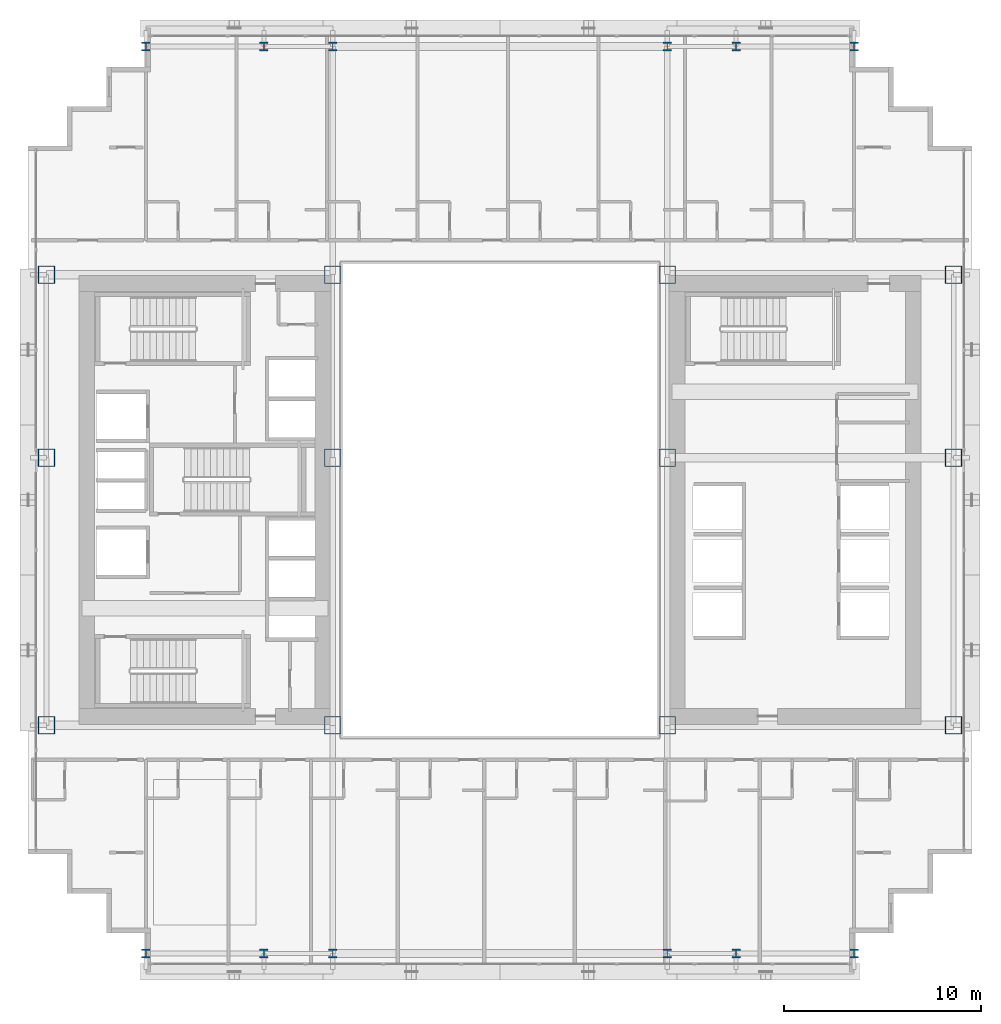
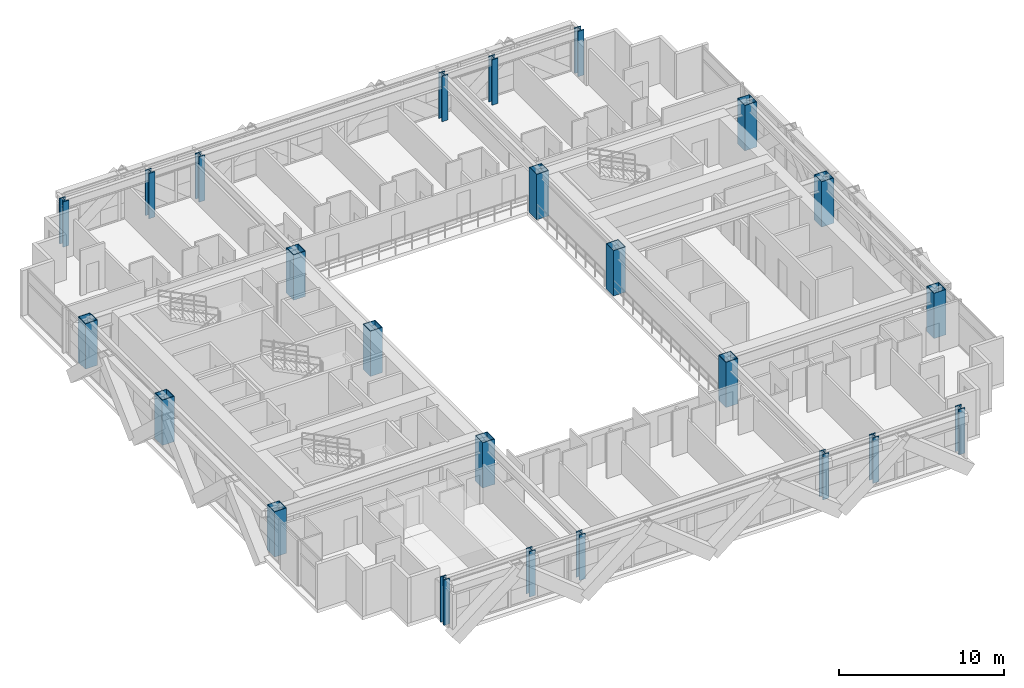
# One storey, part 1 of 36: 24 columns.
"""IFC4 building model written with IfcOpenShell, lengths in metres."""

from ifc_helpers import new_model, si_unit, direction, frame, origin, origin_2d, place, context, subcontext, project, spatial, hollow_rectangle, i_section, extrude, source, transform, mapped, material, material_profile, profile_set, type_object, element, save


model = new_model("IFC4")

# Units and contexts
model_context = context("Model", 3, precision=1e-05, world=origin(), true_north=direction((0.0, 1.0)))
body_context = subcontext(model_context, "Body", "Model", "MODEL_VIEW")
ifc_project = project(units=[si_unit("LENGTHUNIT", "METRE"), si_unit("AREAUNIT", "SQUARE_METRE"), si_unit("VOLUMEUNIT", "CUBIC_METRE"), si_unit("PLANEANGLEUNIT", "RADIAN"), si_unit("MASSUNIT", "GRAM", prefix="KILO")], contexts=[model_context])

# Site, building, storey
site_placement = place(None, origin())
site = spatial("IfcSite", under=ifc_project, at=site_placement, CompositionType="ELEMENT")
building_placement = place(site_placement, origin())
building = spatial("IfcBuilding", under=site, at=building_placement, Name="Ocotamira Hotel", CompositionType="ELEMENT")
storey_placement = place(building_placement, frame((0.0, 0.0, 42.0)))
storey = spatial("IfcBuildingStorey", under=building, at=storey_placement, Name="L09", CompositionType="ELEMENT", Elevation=42.0)

# Columns
ifc_material = material(Name="Steel ASTM A913 Grade 65", Category="steel")
ifc_material_profile_1 = material_profile(ifc_material, hollow_rectangle(XDim=0.85009765625, YDim=0.89990234375, WallThickness=0.0400390625, at=origin_2d()), Name="BOX900X850X40")
ifc_profile_set_1 = profile_set([ifc_material_profile_1], Name="Steel ASTM A913 Grade 65")
column_type_1 = type_object("IfcColumnType", Name="COL-BOX900", PredefinedType="COLUMN", material=ifc_profile_set_1)
shared_shape_1 = source(origin(), body_context, "Body", "SweptSolid", [
    extrude(hollow_rectangle(XDim=0.85009765625, YDim=0.89990234375, WallThickness=0.0400390625, at=origin_2d()), origin(), (0.0, 0.0, 1.0), 3.35009765625),
])
for number, where, z_axis, x_axis, name in (
    (1, (8.949951171875, 14.550048828125, 0.0), (0.0, 0.0, 1.0), (1.0, 0.0, 0.0), "L09 Column TW8_14"),
    (2, (23.5, 14.550048828125, 0.0), (0.0, 0.0, 1.0), (1.0, 0.0, 0.0), "L09 Column TW23_14"),
    (3, (40.5, 14.550048828125, 0.0), (0.0, 0.0, 1.0), (1.0, 0.0, 0.0), "L09 Column TE40_14"),
    (4, (55.050048828125, 14.550048828125, 0.0), (0.0, 0.0, 1.0), (1.0, 0.0, 0.0), "L09 Column TE55_14"),
    (5, (8.949951171875, 28.14990234375, 0.0), (0.0, 0.0, 1.0), (1.0, 0.0, 0.0), "L09 Column TW8_28"),
    (6, (23.5, 28.14990234375, 0.0), (0.0, 0.0, 1.0), (1.0, 0.0, 0.0), "L09 Column TW23_28"),
    (7, (40.5, 28.14990234375, 0.0), (0.0, 0.0, 1.0), (1.0, 0.0, 0.0), "L09 Column TE40_28"),
    (8, (55.050048828125, 28.14990234375, 0.0), (0.0, 0.0, 1.0), (1.0, 0.0, 0.0), "L09 Column TE55_28"),
    (9, (8.949951171875, 37.449951171875, 0.0), (0.0, 0.0, 1.0), (1.0, 0.0, 0.0), "L09 Column TW8_37"),
    (10, (23.5, 37.449951171875, 0.0), (0.0, 0.0, 1.0), (1.0, 0.0, 0.0), "L09 Column TW23_37"),
    (11, (40.5, 37.449951171875, 0.0), (0.0, 0.0, 1.0), (1.0, 0.0, 0.0), "L09 Column TE40_37"),
    (12, (55.050048828125, 37.449951171875, 0.0), (0.0, 0.0, 1.0), (1.0, 0.0, 0.0), "L09 Column TE55_37"),
):
    element("IfcColumn", number, at=place(storey_placement, frame(where, z_axis=z_axis, x_axis=x_axis)), inside=storey, type_object=column_type_1, Name=name, PredefinedType="COLUMN", context=body_context, shape_type="MappedRepresentation", body=[
        mapped(shared_shape_1, transform((0.0, 0.0, 0.0), scale=1.0)),
    ])
ifc_material_profile_2 = material_profile(ifc_material, i_section(OverallWidth=0.422119140625, OverallDepth=0.465087890625, WebThickness=0.044921875, FlangeThickness=0.072509765625, FilletRadius=0.02490234375, at=origin_2d()), Name="W14X398")
ifc_profile_set_2 = profile_set([ifc_material_profile_2], Name="Steel ASTM A913 Grade 65")
column_type_2 = type_object("IfcColumnType", Name="COL-W14X398", PredefinedType="COLUMN", material=ifc_profile_set_2)
shared_shape_2 = source(origin(), body_context, "Body", "SweptSolid", [
    extrude(i_section(OverallWidth=0.422119140625, OverallDepth=0.465087890625, WebThickness=0.044921875, FlangeThickness=0.072509765625, FilletRadius=0.02490234375, at=origin_2d()), origin(), (0.0, 0.0, 1.0), 3.35009765625),
])
for number, where, z_axis, x_axis, name in (
    (13, (14.0, 2.949951171875, 0.0), (0.0, 0.0, 1.0), (1.0, 0.0, 0.0), "L09 Column NSP1_14"),
    (14, (20.0, 2.949951171875, 0.0), (0.0, 0.0, 1.0), (1.0, 0.0, 0.0), "L09 Column NSP1_20"),
    (15, (23.5, 2.949951171875, 0.0), (0.0, 0.0, 1.0), (1.0, 0.0, 0.0), "L09 Column NSP1_23"),
    (16, (40.5, 2.949951171875, 0.0), (0.0, 0.0, 1.0), (1.0, 0.0, 0.0), "L09 Column NSP1_40"),
    (17, (44.0, 2.949951171875, 0.0), (0.0, 0.0, 1.0), (1.0, 0.0, 0.0), "L09 Column NSP1_44"),
    (18, (50.0, 2.949951171875, 0.0), (0.0, 0.0, 1.0), (1.0, 0.0, 0.0), "L09 Column NSP1_50"),
    (19, (14.0, 49.050048828125, 0.0), (0.0, 0.0, 1.0), (1.0, 0.0, 0.0), "L09 Column NSP2_14"),
    (20, (20.0, 49.050048828125, 0.0), (0.0, 0.0, 1.0), (1.0, 0.0, 0.0), "L09 Column NSP2_20"),
    (21, (23.5, 49.050048828125, 0.0), (0.0, 0.0, 1.0), (1.0, 0.0, 0.0), "L09 Column NSP2_23"),
    (22, (40.5, 49.050048828125, 0.0), (0.0, 0.0, 1.0), (1.0, 0.0, 0.0), "L09 Column NSP2_40"),
    (23, (44.0, 49.050048828125, 0.0), (0.0, 0.0, 1.0), (1.0, 0.0, 0.0), "L09 Column NSP2_44"),
    (24, (50.0, 49.050048828125, 0.0), (0.0, 0.0, 1.0), (1.0, 0.0, 0.0), "L09 Column NSP2_50"),
):
    element("IfcColumn", number, at=place(storey_placement, frame(where, z_axis=z_axis, x_axis=x_axis)), inside=storey, type_object=column_type_2, Name=name, PredefinedType="COLUMN", context=body_context, shape_type="MappedRepresentation", body=[
        mapped(shared_shape_2, transform((0.0, 0.0, 0.0), scale=1.0)),
    ])

save(model, "model.ifc")
